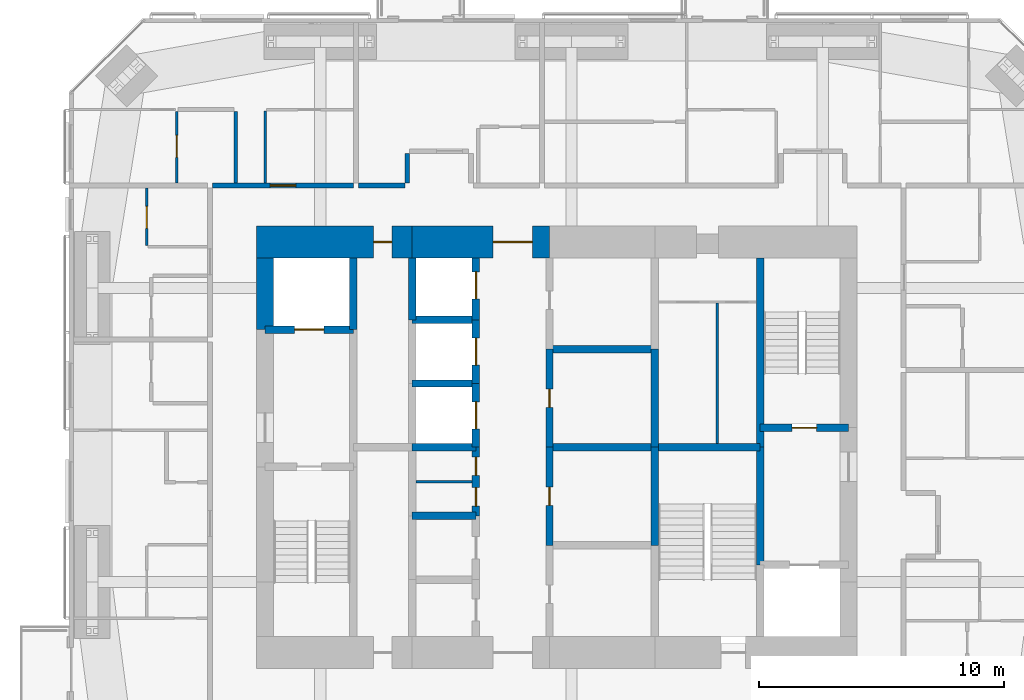
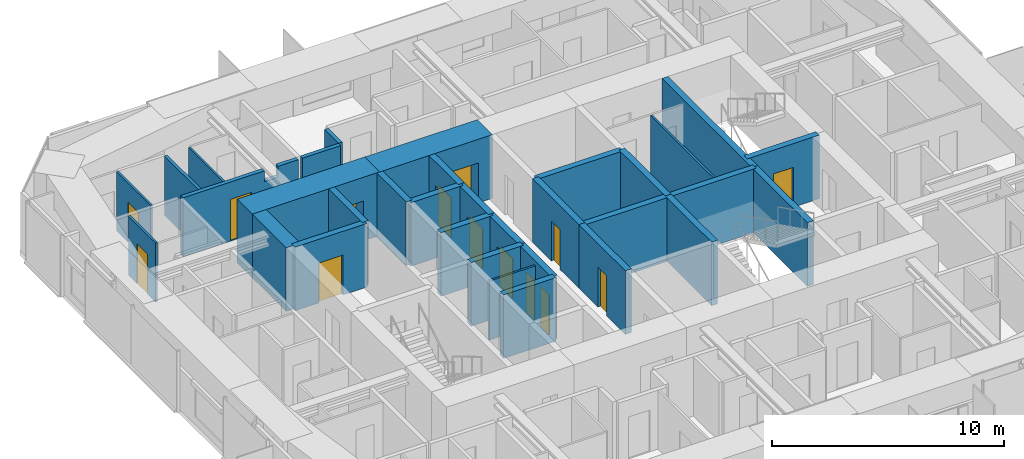
# One storey, part 18 of 23: 33 walls, 14 doors, 14 openings.
"""IFC4 building model written with IfcOpenShell, lengths in metres."""

from ifc_helpers import new_model, si_unit, direction, frame, frame_2d, origin, place, context, subcontext, project, spatial, polyline, rectangle, outline, extrude, material, layer, layer_set, constituent, constituent_set, type_object, element, fill, save


model = new_model("IFC4")

# Units and contexts
model_context = context("Model", 3, precision=1e-05, world=origin(), true_north=direction((0.0, 1.0)))
body_context = subcontext(model_context, "Body", "Model", "MODEL_VIEW")
ifc_project = project(units=[si_unit("LENGTHUNIT", "METRE"), si_unit("AREAUNIT", "SQUARE_METRE"), si_unit("VOLUMEUNIT", "CUBIC_METRE"), si_unit("PLANEANGLEUNIT", "RADIAN"), si_unit("MASSUNIT", "GRAM", prefix="KILO")], contexts=[model_context])

# Site, building, storey
site_placement = place(None, origin())
site = spatial("IfcSite", under=ifc_project, at=site_placement, CompositionType="ELEMENT")
building_placement = place(site_placement, origin())
building = spatial("IfcBuilding", under=site, at=building_placement, Name="Jalousie Tower", CompositionType="ELEMENT")
storey_placement = place(building_placement, frame((0.0, 0.0, 167.75)))
storey = spatial("IfcBuildingStorey", under=building, at=storey_placement, Name="L45", CompositionType="ELEMENT", Elevation=167.75)

# Wall
ifc_material_1 = material(Name="Concrete block ASTM C90", Category="concrete")
ifc_constituent_1 = constituent(ifc_material_1, Name="Body")
ifc_material_2 = material(Name="Render")
ifc_constituent_2 = constituent(ifc_material_2, Name="Finish")
ifc_constituent_set_1 = constituent_set(constituents=[ifc_constituent_1, ifc_constituent_2])
wall_type_1 = type_object("IfcWallType", Name="BATHROOM WALL 150", PredefinedType="PLUMBINGWALL", material=ifc_constituent_set_1)
wall_1_placement = place(storey_placement, frame((18.800048828125, 32.20361328125, 0.0), z_axis=(0.0, 0.0, 1.0), x_axis=(0.0, -1.0, 0.0)))
element("IfcWall", 1, at=wall_1_placement, inside=storey, type_object=wall_type_1, Name="Bathroom Wall 150 L45", PredefinedType="PLUMBINGWALL", context=body_context, shape_type="SweptSolid", body=[
    extrude(rectangle(XDim=2.9287109375, YDim=0.14990234375, at=frame_2d((1.46435546875, 0.0))), origin(), (0.0, 0.0, 1.0), 3.110107421875),
])

# Wall, opening, door
ifc_material_3 = material(Name="Concrete f'c 120 MPa", Category="concrete")
ifc_layer_1 = layer(ifc_material_3, 1.300048828125)
ifc_layer_set_1 = layer_set([ifc_layer_1], Name="Concrete f'c 120 MPa")
wall_type_2 = type_object("IfcWallType", Name="CORE WALL 1300", PredefinedType="SHEAR", material=ifc_layer_set_1)
wall_2_placement = place(storey_placement, frame((31.60009765625, 26.875, 0.0), z_axis=(0.0, 0.0, 1.0), x_axis=(-1.0, 0.0, 0.0)))
wall_2 = element("IfcWall", 2, at=wall_2_placement, inside=storey, type_object=wall_type_2, Name="Core wall NC L45", PredefinedType="SHEAR", context=body_context, shape_type="SweptSolid", body=[
    extrude(rectangle(XDim=5.60009765625, YDim=1.300048828125, at=frame_2d((2.800048828125, 0.0))), origin(), (0.0, 0.0, 1.0), 3.35009765625),
])
opening_1_placement = place(wall_2_placement, frame((0.699951171875, 0.0, 0.0)))
opening_1 = element("IfcOpeningElement", 3, at=opening_1_placement, cuts=wall_2, Name="Opening D15", PredefinedType="OPENING", context=body_context, shape_type="SweptSolid", body=[
    extrude(rectangle(XDim=1.60009765625, YDim=2.10009765625, at=frame_2d((0.800048828125, 1.050048828125))), frame((0.0, 0.659912109375, 0.0), z_axis=(0.0, -1.0, 0.0), x_axis=(1.0, 0.0, 0.0)), (0.0, 0.0, 1.0), 1.320068359375),
])
ifc_material_4 = material(Name="Steel fire door", Category="steel")
door_type_1 = type_object("IfcDoorType", Name="LIFT LOBBY DOOR 1600", OperationType="DOUBLE_DOOR_SINGLE_SWING", PredefinedType="DOOR", material=ifc_material_4)
door_1_placement = place(opening_1_placement, origin())
door_1 = element("IfcDoor", 4, at=door_1_placement, inside=storey, type_object=door_type_1, Name="Lift lobby north door", OperationType="DOUBLE_DOOR_SINGLE_SWING", OverallHeight=2.10009765625, OverallWidth=1.60009765625, PredefinedType="DOOR", context=body_context, shape_type="SweptSolid", body=[
    extrude(rectangle(XDim=1.60009765625, YDim=2.10009765625, at=frame_2d((0.800048828125, 1.050048828125))), frame((0.0, 0.02490234375, 0.0), z_axis=(0.0, -1.0, 0.0), x_axis=(1.0, 0.0, 0.0)), (0.0, 0.0, 1.0), 0.050048828125),
])
fill(opening_1, door_1)

wall_3_placement = place(storey_placement, frame((26.0, 26.875, 0.0), z_axis=(0.0, 0.0, 1.0), x_axis=(-1.0, 0.0, 0.0)))
wall_3 = element("IfcWall", 5, at=wall_3_placement, inside=storey, type_object=wall_type_2, Name="Core wall ND L45", PredefinedType="SHEAR", context=body_context, shape_type="SweptSolid", body=[
    extrude(rectangle(XDim=6.35009765625, YDim=1.300048828125, at=frame_2d((3.175048828125, 0.0))), origin(), (0.0, 0.0, 1.0), 3.35009765625),
])
opening_2_placement = place(wall_3_placement, frame((0.824951171875, 0.0, 0.0)))
opening_2 = element("IfcOpeningElement", 6, at=opening_2_placement, cuts=wall_3, Name="Opening D16", PredefinedType="OPENING", context=body_context, shape_type="SweptSolid", body=[
    extrude(rectangle(XDim=0.75, YDim=2.10009765625, at=frame_2d((0.375, 1.050048828125))), frame((0.0, 0.659912109375, 0.0), z_axis=(0.0, -1.0, 0.0), x_axis=(1.0, 0.0, 0.0)), (0.0, 0.0, 1.0), 1.320068359375),
])
ifc_material_5 = material(Name="Steel fire door", Category="steel")
door_type_2 = type_object("IfcDoorType", Name="RISER DOOR 750", OperationType="SINGLE_SWING_LEFT", PredefinedType="DOOR", material=ifc_material_5)
door_2_placement = place(opening_2_placement, origin())
door_2 = element("IfcDoor", 7, at=door_2_placement, inside=storey, type_object=door_type_2, Name="North riser door", OperationType="SINGLE_SWING_RIGHT", OverallHeight=2.10009765625, OverallWidth=0.75, PredefinedType="DOOR", context=body_context, shape_type="SweptSolid", body=[
    extrude(rectangle(XDim=0.75, YDim=2.10009765625, at=frame_2d((0.375, 1.050048828125))), frame((0.0, 0.02490234375, 0.0), z_axis=(0.0, -1.0, 0.0), x_axis=(1.0, 0.0, 0.0)), (0.0, 0.0, 1.0), 0.050048828125),
])
fill(opening_2, door_2)

# Walls
ifc_material_6 = material(Name="Concrete f'c 120 MPa", Category="concrete")
ifc_layer_2 = layer(ifc_material_6, 0.300048828125)
ifc_layer_set_2 = layer_set([ifc_layer_2], Name="Concrete f'c 120 MPa")
wall_type_3 = type_object("IfcWallType", Name="CORE WALL 300", PredefinedType="SHEAR", material=ifc_layer_set_2)
wall_4_placement = place(storey_placement, frame((23.60009765625, 23.300048828125, 0.0), z_axis=(0.0, 0.0, 1.0), x_axis=(0.0, 1.0, 0.0)))
element("IfcWall", 8, at=wall_4_placement, inside=storey, type_object=wall_type_3, Name="Core wall X23.6C L45", PredefinedType="SHEAR", context=body_context, shape_type="SweptSolid", body=[
    extrude(rectangle(XDim=2.925048828125, YDim=0.300048828125, at=frame_2d((1.46240234375, 0.0))), origin(), (0.0, 0.0, 1.0), 3.35009765625),
])
wall_5_placement = place(storey_placement, frame((26.0, 23.699951171875, 0.0), z_axis=(0.0, 0.0, 1.0), x_axis=(0.0, 1.0, 0.0)))
element("IfcWall", 9, at=wall_5_placement, inside=storey, type_object=wall_type_3, Name="Core wall X26F L45", PredefinedType="SHEAR", context=body_context, shape_type="SweptSolid", body=[
    extrude(rectangle(XDim=2.525146484375, YDim=0.300048828125, at=frame_2d((1.2626953125, 0.0))), origin(), (0.0, 0.0, 1.0), 3.35009765625),
])

# Wall, openings, doors
wall_6_placement = place(storey_placement, frame((28.60009765625, 15.699951171875, 0.0), z_axis=(0.0, 0.0, 1.0), x_axis=(0.0, 1.0, 0.0)))
wall_6 = element("IfcWall", 10, at=wall_6_placement, inside=storey, type_object=wall_type_3, Name="Core wall X28.6C L45", PredefinedType="SHEAR", context=body_context, shape_type="SweptSolid", body=[
    extrude(rectangle(XDim=2.800048828125, YDim=0.300048828125, at=frame_2d((1.39990234375, 0.0))), origin(), (0.0, 0.0, 1.0), 3.35009765625),
])
opening_3_placement = place(wall_6_placement, frame((0.39990234375, 0.0, 0.0)))
opening_3 = element("IfcOpeningElement", 11, at=opening_3_placement, cuts=wall_6, Name="Opening D27", PredefinedType="OPENING", context=body_context, shape_type="SweptSolid", body=[
    extrude(rectangle(XDim=0.75, YDim=2.10009765625, at=frame_2d((0.375, 1.050048828125))), frame((0.0, 0.159912109375, 0.0), z_axis=(0.0, -1.0, 0.0), x_axis=(1.0, 0.0, 0.0)), (0.0, 0.0, 1.0), 0.320068359375),
])
opening_4_placement = place(wall_6_placement, frame((1.64990234375, 0.0, 0.0)))
opening_4 = element("IfcOpeningElement", 12, at=opening_4_placement, cuts=wall_6, Name="Opening D27", PredefinedType="OPENING", context=body_context, shape_type="SweptSolid", body=[
    extrude(rectangle(XDim=0.75, YDim=2.10009765625, at=frame_2d((0.375, 1.050048828125))), frame((0.0, 0.159912109375, 0.0), z_axis=(0.0, -1.0, 0.0), x_axis=(1.0, 0.0, 0.0)), (0.0, 0.0, 1.0), 0.320068359375),
])
ifc_material_7 = material(Name="Steel fire door", Category="steel")
door_type_3 = type_object("IfcDoorType", Name="CORE ROOM DOOR 750", OperationType="SINGLE_SWING_LEFT", PredefinedType="DOOR", material=ifc_material_7)
door_3_placement = place(opening_3_placement, origin())
door_3 = element("IfcDoor", 13, at=door_3_placement, inside=storey, type_object=door_type_3, Name="Store door", OperationType="SINGLE_SWING_RIGHT", OverallHeight=2.10009765625, OverallWidth=0.75, PredefinedType="DOOR", context=body_context, shape_type="SweptSolid", body=[
    extrude(rectangle(XDim=0.75, YDim=2.10009765625, at=frame_2d((0.375, 1.050048828125))), frame((0.0, 0.02490234375, 0.0), z_axis=(0.0, -1.0, 0.0), x_axis=(1.0, 0.0, 0.0)), (0.0, 0.0, 1.0), 0.050048828125),
])
fill(opening_3, door_3)
door_4_placement = place(opening_4_placement, origin())
door_4 = element("IfcDoor", 14, at=door_4_placement, inside=storey, type_object=door_type_3, Name="Linen store door", OperationType="SINGLE_SWING_LEFT", OverallHeight=2.10009765625, OverallWidth=0.75, PredefinedType="DOOR", context=body_context, shape_type="SweptSolid", body=[
    extrude(rectangle(XDim=0.75, YDim=2.10009765625, at=frame_2d((0.375, 1.050048828125))), frame((0.0, 0.02490234375, 0.0), z_axis=(0.0, -1.0, 0.0), x_axis=(1.0, 0.0, 0.0)), (0.0, 0.0, 1.0), 0.050048828125),
])
fill(opening_4, door_4)

# Wall, opening, door
wall_7_placement = place(storey_placement, frame((28.60009765625, 18.5, 0.0), z_axis=(0.0, 0.0, 1.0), x_axis=(0.0, 1.0, 0.0)))
wall_7 = element("IfcWall", 15, at=wall_7_placement, inside=storey, type_object=wall_type_3, Name="Core wall X28.6D L45", PredefinedType="SHEAR", context=body_context, shape_type="SweptSolid", body=[
    extrude(rectangle(XDim=2.60009765625, YDim=0.300048828125, at=frame_2d((1.300048828125, 0.0))), origin(), (0.0, 0.0, 1.0), 3.35009765625),
])
opening_5_placement = place(wall_7_placement, frame((0.75, 0.0, 0.0)))
opening_5 = element("IfcOpeningElement", 16, at=opening_5_placement, cuts=wall_7, Name="Opening LD1", PredefinedType="OPENING", context=body_context, shape_type="SweptSolid", body=[
    extrude(rectangle(XDim=1.10009765625, YDim=2.10009765625, at=frame_2d((0.550048828125, 1.050048828125))), frame((0.0, 0.159912109375, 0.0), z_axis=(0.0, -1.0, 0.0), x_axis=(1.0, 0.0, 0.0)), (0.0, 0.0, 1.0), 0.320068359375),
])
ifc_material_8 = material(Name="Steel lift landing door", Category="steel")
door_type_4 = type_object("IfcDoorType", Name="LIFT LANDING DOOR 1100", OperationType="SLIDING_TO_LEFT", PredefinedType="DOOR", material=ifc_material_8)
door_5_placement = place(opening_5_placement, origin())
door_5 = element("IfcDoor", 17, at=door_5_placement, inside=storey, type_object=door_type_4, Name="Lift P4 landing door", OperationType="SLIDING_TO_LEFT", OverallHeight=2.10009765625, OverallWidth=1.10009765625, PredefinedType="DOOR", context=body_context, shape_type="SweptSolid", body=[
    extrude(rectangle(XDim=1.10009765625, YDim=2.10009765625, at=frame_2d((0.550048828125, 1.050048828125))), frame((0.0, 0.02490234375, 0.0), z_axis=(0.0, -1.0, 0.0), x_axis=(1.0, 0.0, 0.0)), (0.0, 0.0, 1.0), 0.050048828125),
])
fill(opening_5, door_5)

wall_8_placement = place(storey_placement, frame((28.60009765625, 21.10009765625, 0.0), z_axis=(0.0, 0.0, 1.0), x_axis=(0.0, 1.0, 0.0)))
wall_8 = element("IfcWall", 18, at=wall_8_placement, inside=storey, type_object=wall_type_3, Name="Core wall X28.6E L45", PredefinedType="SHEAR", context=body_context, shape_type="SweptSolid", body=[
    extrude(rectangle(XDim=2.599853515625, YDim=0.300048828125, at=frame_2d((1.2998046875, 0.0))), origin(), (0.0, 0.0, 1.0), 3.35009765625),
])
opening_6_placement = place(wall_8_placement, frame((0.75, 0.0, 0.0)))
opening_6 = element("IfcOpeningElement", 19, at=opening_6_placement, cuts=wall_8, Name="Opening LD1", PredefinedType="OPENING", context=body_context, shape_type="SweptSolid", body=[
    extrude(rectangle(XDim=1.10009765625, YDim=2.10009765625, at=frame_2d((0.550048828125, 1.050048828125))), frame((0.0, 0.159912109375, 0.0), z_axis=(0.0, -1.0, 0.0), x_axis=(1.0, 0.0, 0.0)), (0.0, 0.0, 1.0), 0.320068359375),
])
door_6_placement = place(opening_6_placement, origin())
door_6 = element("IfcDoor", 20, at=door_6_placement, inside=storey, type_object=door_type_4, Name="Lift P5 landing door", OperationType="SLIDING_TO_LEFT", OverallHeight=2.10009765625, OverallWidth=1.10009765625, PredefinedType="DOOR", context=body_context, shape_type="SweptSolid", body=[
    extrude(rectangle(XDim=1.10009765625, YDim=2.10009765625, at=frame_2d((0.550048828125, 1.050048828125))), frame((0.0, 0.02490234375, 0.0), z_axis=(0.0, -1.0, 0.0), x_axis=(1.0, 0.0, 0.0)), (0.0, 0.0, 1.0), 0.050048828125),
])
fill(opening_6, door_6)

wall_9_placement = place(storey_placement, frame((28.60009765625, 23.699951171875, 0.0), z_axis=(0.0, 0.0, 1.0), x_axis=(0.0, 1.0, 0.0)))
wall_9 = element("IfcWall", 21, at=wall_9_placement, inside=storey, type_object=wall_type_3, Name="Core wall X28.6F L45", PredefinedType="SHEAR", context=body_context, shape_type="SweptSolid", body=[
    extrude(rectangle(XDim=2.525146484375, YDim=0.300048828125, at=frame_2d((1.2626953125, 0.0))), origin(), (0.0, 0.0, 1.0), 3.35009765625),
])
opening_7_placement = place(wall_9_placement, frame((0.85009765625, 0.0, 0.0)))
opening_7 = element("IfcOpeningElement", 22, at=opening_7_placement, cuts=wall_9, Name="Opening LD1", PredefinedType="OPENING", context=body_context, shape_type="SweptSolid", body=[
    extrude(rectangle(XDim=1.10009765625, YDim=2.10009765625, at=frame_2d((0.550048828125, 1.050048828125))), frame((0.0, 0.159912109375, 0.0), z_axis=(0.0, -1.0, 0.0), x_axis=(1.0, 0.0, 0.0)), (0.0, 0.0, 1.0), 0.320068359375),
])
door_7_placement = place(opening_7_placement, origin())
door_7 = element("IfcDoor", 23, at=door_7_placement, inside=storey, type_object=door_type_4, Name="Lift P6 landing door", OperationType="SLIDING_TO_LEFT", OverallHeight=2.10009765625, OverallWidth=1.10009765625, PredefinedType="DOOR", context=body_context, shape_type="SweptSolid", body=[
    extrude(rectangle(XDim=1.10009765625, YDim=2.10009765625, at=frame_2d((0.550048828125, 1.050048828125))), frame((0.0, 0.02490234375, 0.0), z_axis=(0.0, -1.0, 0.0), x_axis=(1.0, 0.0, 0.0)), (0.0, 0.0, 1.0), 0.050048828125),
])
fill(opening_7, door_7)

wall_10_placement = place(storey_placement, frame((31.60009765625, 14.5, 0.0), z_axis=(0.0, 0.0, 1.0), x_axis=(0.0, 1.0, 0.0)))
wall_10 = element("IfcWall", 24, at=wall_10_placement, inside=storey, type_object=wall_type_3, Name="Core wall X31.6B L45", PredefinedType="SHEAR", context=body_context, shape_type="SweptSolid", body=[
    extrude(rectangle(XDim=4.0, YDim=0.300048828125, at=frame_2d((2.0, 0.0))), origin(), (0.0, 0.0, 1.0), 3.35009765625),
])
opening_8_placement = place(wall_10_placement, frame((1.625, 0.0, 0.0)))
opening_8 = element("IfcOpeningElement", 25, at=opening_8_placement, cuts=wall_10, Name="Opening D16", PredefinedType="OPENING", context=body_context, shape_type="SweptSolid", body=[
    extrude(rectangle(XDim=0.75, YDim=2.10009765625, at=frame_2d((0.375, 1.050048828125))), frame((0.0, 0.159912109375, 0.0), z_axis=(0.0, -1.0, 0.0), x_axis=(1.0, 0.0, 0.0)), (0.0, 0.0, 1.0), 0.320068359375),
])
door_8_placement = place(opening_8_placement, frame((0.75, 0.0, 0.0), z_axis=(0.0, 0.0, 1.0), x_axis=(-1.0, 0.0, 0.0)))
door_8 = element("IfcDoor", 26, at=door_8_placement, inside=storey, type_object=door_type_2, Name="Electrical Room door", OperationType="SINGLE_SWING_RIGHT", OverallHeight=2.10009765625, OverallWidth=0.75, PredefinedType="DOOR", context=body_context, shape_type="SweptSolid", body=[
    extrude(rectangle(XDim=0.75, YDim=2.10009765625, at=frame_2d((0.375, 1.050048828125))), frame((0.0, 0.02490234375, 0.0), z_axis=(0.0, -1.0, 0.0), x_axis=(1.0, 0.0, 0.0)), (0.0, 0.0, 1.0), 0.050048828125),
])
fill(opening_8, door_8)

wall_11_placement = place(storey_placement, frame((31.60009765625, 18.5, 0.0), z_axis=(0.0, 0.0, 1.0), x_axis=(0.0, 1.0, 0.0)))
wall_11 = element("IfcWall", 27, at=wall_11_placement, inside=storey, type_object=wall_type_3, Name="Core wall X31.6C L45", PredefinedType="SHEAR", context=body_context, shape_type="SweptSolid", body=[
    extrude(rectangle(XDim=4.0, YDim=0.300048828125, at=frame_2d((2.0, 0.0))), origin(), (0.0, 0.0, 1.0), 3.35009765625),
])
opening_9_placement = place(wall_11_placement, frame((1.625, 0.0, 0.0)))
opening_9 = element("IfcOpeningElement", 28, at=opening_9_placement, cuts=wall_11, Name="Opening D16", PredefinedType="OPENING", context=body_context, shape_type="SweptSolid", body=[
    extrude(rectangle(XDim=0.75, YDim=2.10009765625, at=frame_2d((0.375, 1.050048828125))), frame((0.0, 0.159912109375, 0.0), z_axis=(0.0, -1.0, 0.0), x_axis=(1.0, 0.0, 0.0)), (0.0, 0.0, 1.0), 0.320068359375),
])
door_9_placement = place(opening_9_placement, frame((0.75, 0.0, 0.0), z_axis=(0.0, 0.0, 1.0), x_axis=(-1.0, 0.0, 0.0)))
door_9 = element("IfcDoor", 29, at=door_9_placement, inside=storey, type_object=door_type_2, Name="Telecom Room door", OperationType="SINGLE_SWING_RIGHT", OverallHeight=2.10009765625, OverallWidth=0.75, PredefinedType="DOOR", context=body_context, shape_type="SweptSolid", body=[
    extrude(rectangle(XDim=0.75, YDim=2.10009765625, at=frame_2d((0.375, 1.050048828125))), frame((0.0, 0.02490234375, 0.0), z_axis=(0.0, -1.0, 0.0), x_axis=(1.0, 0.0, 0.0)), (0.0, 0.0, 1.0), 0.050048828125),
])
fill(opening_9, door_9)

# Walls
for number, where, z_axis, x_axis, name in (
    (30, (35.89990234375, 14.5, 0.0), (0.0, 0.0, 1.0), (0.0, 1.0, 0.0), "Core wall X35.9B L45"),
    (31, (35.89990234375, 18.5, 0.0), (0.0, 0.0, 1.0), (0.0, 1.0, 0.0), "Core wall X35.9C L45"),
):
    element("IfcWall", number, at=place(storey_placement, frame(where, z_axis=z_axis, x_axis=x_axis)), inside=storey, type_object=wall_type_3, Name=name, PredefinedType="SHEAR", context=body_context, shape_type="SweptSolid", body=[
        extrude(rectangle(XDim=4.0, YDim=0.300048828125, at=frame_2d((2.0, 0.0))), origin(), (0.0, 0.0, 1.0), 3.35009765625),
    ])
wall_12_placement = place(storey_placement, frame((40.199951171875, 13.699951171875, 0.0), z_axis=(0.0, 0.0, 1.0), x_axis=(0.0, 1.0, 0.0)))
element("IfcWall", 32, at=wall_12_placement, inside=storey, type_object=wall_type_3, Name="Core wall X40.2B L45", PredefinedType="SHEAR", context=body_context, shape_type="SweptSolid", body=[
    extrude(rectangle(XDim=4.800048828125, YDim=0.300048828125, at=frame_2d((2.39990234375, 0.0))), origin(), (0.0, 0.0, 1.0), 3.35009765625),
])
wall_13_placement = place(storey_placement, frame((40.199951171875, 18.5, 0.0), z_axis=(0.0, 0.0, 1.0), x_axis=(0.0, 1.0, 0.0)))
element("IfcWall", 33, at=wall_13_placement, inside=storey, type_object=wall_type_3, Name="Core wall X40.2C L45", PredefinedType="SHEAR", context=body_context, shape_type="SweptSolid", body=[
    extrude(rectangle(XDim=7.72509765625, YDim=0.300048828125, at=frame_2d((3.862548828125, 0.0))), origin(), (0.0, 0.0, 1.0), 3.35009765625),
])

# Wall, opening, door
wall_14_placement = place(storey_placement, frame((20.0, 23.300048828125, 0.0), z_axis=(0.0, 0.0, 1.0), x_axis=(1.0, 0.0, 0.0)))
wall_14 = element("IfcWall", 34, at=wall_14_placement, inside=storey, type_object=wall_type_3, Name="Core wall Y20-23.3 L45", PredefinedType="SHEAR", context=body_context, shape_type="SweptSolid", body=[
    extrude(rectangle(XDim=3.60009765625, YDim=0.300048828125, at=frame_2d((1.800048828125, 0.0))), origin(), (0.0, 0.0, 1.0), 3.35009765625),
])
opening_10_placement = place(wall_14_placement, frame((1.199951171875, 0.0, 0.0)))
opening_10 = element("IfcOpeningElement", 35, at=opening_10_placement, cuts=wall_14, Name="Opening LD2", PredefinedType="OPENING", context=body_context, shape_type="SweptSolid", body=[
    extrude(rectangle(XDim=1.199951171875, YDim=2.10009765625, at=frame_2d((0.60009765625, 1.050048828125))), frame((0.0, 0.159912109375, 0.0), z_axis=(0.0, -1.0, 0.0), x_axis=(1.0, 0.0, 0.0)), (0.0, 0.0, 1.0), 0.320068359375),
])
ifc_material_9 = material(Name="Steel lift landing door", Category="steel")
door_type_5 = type_object("IfcDoorType", Name="LIFT LANDING DOOR 1200", OperationType="SLIDING_TO_LEFT", PredefinedType="DOOR", material=ifc_material_9)
door_10_placement = place(opening_10_placement, origin())
door_10 = element("IfcDoor", 36, at=door_10_placement, inside=storey, type_object=door_type_5, Name="Lift F1 landing door", OperationType="SLIDING_TO_LEFT", OverallHeight=2.10009765625, OverallWidth=1.199951171875, PredefinedType="DOOR", context=body_context, shape_type="SweptSolid", body=[
    extrude(rectangle(XDim=1.199951171875, YDim=2.10009765625, at=frame_2d((0.60009765625, 1.050048828125))), frame((0.0, 0.02490234375, 0.0), z_axis=(0.0, -1.0, 0.0), x_axis=(1.0, 0.0, 0.0)), (0.0, 0.0, 1.0), 0.050048828125),
])
fill(opening_10, door_10)

# Walls
for number, where, z_axis, x_axis, name in (
    (37, (26.0, 15.699951171875, 0.0), (0.0, 0.0, 1.0), (1.0, 0.0, 0.0), "Core wall Y26-15.7 L45"),
    (38, (26.0, 18.5, 0.0), (0.0, 0.0, 1.0), (1.0, 0.0, 0.0), "Core wall Y26-18.5 L45"),
    (39, (26.0, 21.10009765625, 0.0), (0.0, 0.0, 1.0), (1.0, 0.0, 0.0), "Core wall Y26-21.1 L45"),
    (40, (26.0, 23.699951171875, 0.0), (0.0, 0.0, 1.0), (1.0, 0.0, 0.0), "Core wall Y26-23.7 L45"),
):
    element("IfcWall", number, at=place(storey_placement, frame(where, z_axis=z_axis, x_axis=x_axis)), inside=storey, type_object=wall_type_3, Name=name, PredefinedType="SHEAR", context=body_context, shape_type="SweptSolid", body=[
        extrude(rectangle(XDim=2.60009765625, YDim=0.300048828125, at=frame_2d((1.300048828125, 0.0))), origin(), (0.0, 0.0, 1.0), 3.35009765625),
    ])
for number, where, z_axis, x_axis, name in (
    (41, (31.60009765625, 18.5, 0.0), (0.0, 0.0, 1.0), (1.0, 0.0, 0.0), "Core wall Y31.6-18.5 L45"),
    (42, (31.60009765625, 22.5, 0.0), (0.0, 0.0, 1.0), (1.0, 0.0, 0.0), "Core wall Y31.6-22.5 L45"),
):
    element("IfcWall", number, at=place(storey_placement, frame(where, z_axis=z_axis, x_axis=x_axis)), inside=storey, type_object=wall_type_3, Name=name, PredefinedType="SHEAR", context=body_context, shape_type="SweptSolid", body=[
        extrude(rectangle(XDim=4.2998046875, YDim=0.300048828125, at=frame_2d((2.14990234375, 0.0))), origin(), (0.0, 0.0, 1.0), 3.35009765625),
    ])
wall_15_placement = place(storey_placement, frame((35.89990234375, 18.5, 0.0), z_axis=(0.0, 0.0, 1.0), x_axis=(1.0, 0.0, 0.0)))
element("IfcWall", 43, at=wall_15_placement, inside=storey, type_object=wall_type_3, Name="Core wall Y35.9-18.5 L45", PredefinedType="SHEAR", context=body_context, shape_type="SweptSolid", body=[
    extrude(rectangle(XDim=4.300048828125, YDim=0.300048828125, at=frame_2d((2.14990234375, 0.0))), origin(), (0.0, 0.0, 1.0), 3.35009765625),
])

# Wall, opening, door
wall_16_placement = place(storey_placement, frame((40.199951171875, 19.300048828125, 0.0), z_axis=(0.0, 0.0, 1.0), x_axis=(1.0, 0.0, 0.0)))
wall_16 = element("IfcWall", 44, at=wall_16_placement, inside=storey, type_object=wall_type_3, Name="Core wall Y40.2-19.3 L45", PredefinedType="SHEAR", context=body_context, shape_type="SweptSolid", body=[
    extrude(rectangle(XDim=3.60009765625, YDim=0.300048828125, at=frame_2d((1.800048828125, 0.0))), origin(), (0.0, 0.0, 1.0), 3.35009765625),
])
opening_11_placement = place(wall_16_placement, frame((1.300048828125, 0.0, 0.0)))
opening_11 = element("IfcOpeningElement", 45, at=opening_11_placement, cuts=wall_16, Name="Opening D10", PredefinedType="OPENING", context=body_context, shape_type="SweptSolid", body=[
    extrude(rectangle(XDim=1.0, YDim=2.10009765625, at=frame_2d((0.5, 1.050048828125))), frame((0.0, 0.159912109375, 0.0), z_axis=(0.0, -1.0, 0.0), x_axis=(1.0, 0.0, 0.0)), (0.0, 0.0, 1.0), 0.320068359375),
])
ifc_material_10 = material(Name="Steel fire door", Category="steel")
door_type_6 = type_object("IfcDoorType", Name="STAIR DOOR 1000", OperationType="SINGLE_SWING_LEFT", PredefinedType="DOOR", material=ifc_material_10)
door_11_placement = place(opening_11_placement, origin())
door_11 = element("IfcDoor", 46, at=door_11_placement, inside=storey, type_object=door_type_6, Name="Exit stair B door", OperationType="SINGLE_SWING_RIGHT", OverallHeight=2.10009765625, OverallWidth=1.0, PredefinedType="DOOR", context=body_context, shape_type="SweptSolid", body=[
    extrude(rectangle(XDim=1.0, YDim=2.10009765625, at=frame_2d((0.5, 1.050048828125))), frame((0.0, 0.02490234375, 0.0), z_axis=(0.0, -1.0, 0.0), x_axis=(1.0, 0.0, 0.0)), (0.0, 0.0, 1.0), 0.050048828125),
])
fill(opening_11, door_11)

# Wall
ifc_material_11 = material(Name="Concrete f'c 120 MPa", Category="concrete")
ifc_layer_3 = layer(ifc_material_11, 0.699951171875)
ifc_layer_set_3 = layer_set([ifc_layer_3], Name="Concrete f'c 120 MPa")
wall_type_4 = type_object("IfcWallType", Name="CORE WALL 700", PredefinedType="SHEAR", material=ifc_layer_set_3)
wall_17_placement = place(storey_placement, frame((20.0, 26.22509765625, 0.0), z_axis=(0.0, 0.0, 1.0), x_axis=(0.0, -1.0, 0.0)))
element("IfcWall", 47, at=wall_17_placement, inside=storey, type_object=wall_type_4, Name="Core wall WA L45", PredefinedType="SHEAR", context=body_context, shape_type="SweptSolid", body=[
    extrude(rectangle(XDim=2.925048828125, YDim=0.699951171875, at=frame_2d((1.46240234375, 0.0))), origin(), (0.0, 0.0, 1.0), 3.35009765625),
])

# Wall, opening, door
ifc_material_12 = material(Name="Concrete block ASTM C90", Category="concrete")
ifc_constituent_3 = constituent(ifc_material_12, Name="Body")
ifc_material_13 = material(Name="Render")
ifc_constituent_4 = constituent(ifc_material_13, Name="Finish")
ifc_constituent_set_2 = constituent_set(constituents=[ifc_constituent_3, ifc_constituent_4])
wall_type_5 = type_object("IfcWallType", Name="CORRIDOR WALL 200", PredefinedType="PARTITIONING", material=ifc_constituent_set_2)
wall_18_placement = place(storey_placement, frame((17.85009765625, 29.175048828125, 0.0), z_axis=(0.0, 0.0, 1.0), x_axis=(1.0, 0.0, 0.0)))
wall_18 = element("IfcWall", 48, at=wall_18_placement, inside=storey, type_object=wall_type_5, Name="Corridor Wall 200 L45", PredefinedType="PARTITIONING", context=body_context, shape_type="SweptSolid", body=[
    extrude(outline(polyline([(0.0, 0.0), (5.75, 0.0), (5.75, 3.110107421875), (4.7373046875, 3.110107421875), (4.7373046875, 2.541015625), (4.0625, 2.541015625), (4.0625, 3.110107421875), (0.0, 3.110107421875), (0.0, 0.0)])), frame((0.0, 0.10009765625, 0.0), z_axis=(0.0, -1.0, 0.0), x_axis=(1.0, 0.0, 0.0)), (0.0, 0.0, 1.0), 0.199951171875),
])
opening_12_placement = place(wall_18_placement, frame((2.35009765625, 0.0, 0.0)))
opening_12 = element("IfcOpeningElement", 49, at=opening_12_placement, cuts=wall_18, Name="Opening D1", PredefinedType="OPENING", context=body_context, shape_type="SweptSolid", body=[
    extrude(rectangle(XDim=1.050048828125, YDim=2.199951171875, at=frame_2d((0.52490234375, 1.10009765625))), frame((0.0, 0.10986328125, 0.0), z_axis=(0.0, -1.0, 0.0), x_axis=(1.0, 0.0, 0.0)), (0.0, 0.0, 1.0), 0.219970703125),
])
ifc_material_14 = material(Name="Timber fire door", Category="wood")
door_type_7 = type_object("IfcDoorType", Name="APARTMENT ENTRANCE DOOR 1050", OperationType="SINGLE_SWING_LEFT", PredefinedType="DOOR", material=ifc_material_14)
door_12_placement = place(opening_12_placement, origin())
door_12 = element("IfcDoor", 50, at=door_12_placement, inside=storey, type_object=door_type_7, Name="Apartment 4505 entrance", OperationType="SINGLE_SWING_LEFT", OverallHeight=2.199951171875, OverallWidth=1.050048828125, PredefinedType="DOOR", context=body_context, shape_type="SweptSolid", body=[
    extrude(rectangle(XDim=1.050048828125, YDim=2.199951171875, at=frame_2d((0.52490234375, 1.10009765625))), frame((0.0, 0.02490234375, 0.0), z_axis=(0.0, -1.0, 0.0), x_axis=(1.0, 0.0, 0.0)), (0.0, 0.0, 1.0), 0.050048828125),
])
fill(opening_12, door_12)

# Walls
wall_19_placement = place(storey_placement, frame((23.800048828125, 29.175048828125, 0.0), z_axis=(0.0, 0.0, 1.0), x_axis=(1.0, 0.0, 0.0)))
element("IfcWall", 51, at=wall_19_placement, inside=storey, type_object=wall_type_5, Name="Corridor Wall 200 L45", PredefinedType="PARTITIONING", context=body_context, shape_type="SweptSolid", body=[
    extrude(rectangle(XDim=1.89990234375, YDim=0.199951171875, at=frame_2d((0.949951171875, 0.0))), origin(), (0.0, 0.0, 1.0), 3.110107421875),
])
wall_20_placement = place(storey_placement, frame((25.800048828125, 29.27490234375, 0.0), z_axis=(0.0, 0.0, 1.0), x_axis=(0.0, 1.0, 0.0)))
element("IfcWall", 52, at=wall_20_placement, inside=storey, type_object=wall_type_5, Name="Corridor Wall 200 L45", PredefinedType="PARTITIONING", context=body_context, shape_type="SweptSolid", body=[
    extrude(rectangle(XDim=1.2001953125, YDim=0.199951171875, at=frame_2d((0.60009765625, 0.0))), origin(), (0.0, 0.0, 1.0), 3.110107421875),
])

# Wall, opening, door
ifc_material_15 = material(Name="Gypsum board", Category="gypsum")
ifc_constituent_5 = constituent(ifc_material_15, Name="Body")
ifc_material_16 = material(Name="Light-gauge steel studs ASTM A653 SS Grade 33", Category="steel")
ifc_constituent_6 = constituent(ifc_material_16, Name="Framing")
ifc_constituent_set_3 = constituent_set(constituents=[ifc_constituent_5, ifc_constituent_6])
wall_type_6 = type_object("IfcWallType", Name="PARTITION 100", PredefinedType="PARTITIONING", material=ifc_constituent_set_3)
wall_21_placement = place(storey_placement, frame((16.39990234375, 32.20361328125, 0.0), z_axis=(0.0, 0.0, 1.0), x_axis=(0.0, -1.0, 0.0)))
wall_21 = element("IfcWall", 53, at=wall_21_placement, inside=storey, type_object=wall_type_6, Name="Partition 100 L45", PredefinedType="PARTITIONING", context=body_context, shape_type="SweptSolid", body=[
    extrude(rectangle(XDim=2.9287109375, YDim=0.10009765625, at=frame_2d((1.46435546875, 0.0))), origin(), (0.0, 0.0, 1.0), 3.110107421875),
])
opening_13_placement = place(wall_21_placement, frame((0.976806640625, 0.0, 0.0)))
opening_13 = element("IfcOpeningElement", 54, at=opening_13_placement, cuts=wall_21, Name="Opening D3", PredefinedType="OPENING", context=body_context, shape_type="SweptSolid", body=[
    extrude(rectangle(XDim=0.89990234375, YDim=2.10009765625, at=frame_2d((0.449951171875, 1.050048828125))), frame((0.0, 0.06005859375, 0.0), z_axis=(0.0, -1.0, 0.0), x_axis=(1.0, 0.0, 0.0)), (0.0, 0.0, 1.0), 0.1201171875),
])
ifc_material_17 = material(Name="Timber door", Category="wood")
door_type_8 = type_object("IfcDoorType", Name="BATHROOM DOOR 900", OperationType="SINGLE_SWING_LEFT", PredefinedType="DOOR", material=ifc_material_17)
door_13_placement = place(opening_13_placement, origin())
door_13 = element("IfcDoor", 55, at=door_13_placement, inside=storey, type_object=door_type_8, Name="Apartment 4505 bedroom 1 bathroom door", OperationType="SINGLE_SWING_LEFT", OverallHeight=2.10009765625, OverallWidth=0.89990234375, PredefinedType="DOOR", context=body_context, shape_type="SweptSolid", body=[
    extrude(rectangle(XDim=0.89990234375, YDim=2.10009765625, at=frame_2d((0.449951171875, 1.050048828125))), frame((0.0, 0.02490234375, 0.0), z_axis=(0.0, -1.0, 0.0), x_axis=(1.0, 0.0, 0.0)), (0.0, 0.0, 1.0), 0.050048828125),
])
fill(opening_13, door_13)

# Wall
wall_22_placement = place(storey_placement, frame((20.0, 32.22509765625, 0.0), z_axis=(0.0, 0.0, 1.0), x_axis=(0.0, -1.0, 0.0)))
element("IfcWall", 56, at=wall_22_placement, inside=storey, type_object=wall_type_6, Name="Partition 100 L45", PredefinedType="PARTITIONING", context=body_context, shape_type="SweptSolid", body=[
    extrude(rectangle(XDim=2.9501953125, YDim=0.10009765625, at=frame_2d((1.47509765625, 0.0))), origin(), (0.0, 0.0, 1.0), 3.110107421875),
])

# Wall, opening, door
wall_23_placement = place(storey_placement, frame((15.175048828125, 26.72509765625, 0.0), z_axis=(0.0, 0.0, 1.0), x_axis=(0.0, 1.0, 0.0)))
wall_23 = element("IfcWall", 57, at=wall_23_placement, inside=storey, type_object=wall_type_6, Name="Partition 100 L45", PredefinedType="PARTITIONING", context=body_context, shape_type="SweptSolid", body=[
    extrude(rectangle(XDim=2.349853515625, YDim=0.10009765625, at=frame_2d((1.1748046875, 0.0))), origin(), (0.0, 0.0, 1.0), 3.110107421875),
])
opening_14_placement = place(wall_23_placement, frame((0.699951171875, 0.0, 0.0)))
opening_14 = element("IfcOpeningElement", 58, at=opening_14_placement, cuts=wall_23, Name="Opening D7", PredefinedType="OPENING", context=body_context, shape_type="SweptSolid", body=[
    extrude(rectangle(XDim=0.89990234375, YDim=2.10009765625, at=frame_2d((0.449951171875, 1.050048828125))), frame((0.0, 0.06005859375, 0.0), z_axis=(0.0, -1.0, 0.0), x_axis=(1.0, 0.0, 0.0)), (0.0, 0.0, 1.0), 0.1201171875),
])
ifc_material_18 = material(Name="Timber door", Category="wood")
door_type_9 = type_object("IfcDoorType", Name="INTERNAL DOOR 900", OperationType="SINGLE_SWING_LEFT", PredefinedType="DOOR", material=ifc_material_18)
door_14_placement = place(opening_14_placement, frame((0.89990234375, 0.0, 0.0), z_axis=(0.0, 0.0, 1.0), x_axis=(-1.0, 0.0, 0.0)))
door_14 = element("IfcDoor", 59, at=door_14_placement, inside=storey, type_object=door_type_9, Name="Apartment 4509 kitchen door", OperationType="SINGLE_SWING_RIGHT", OverallHeight=2.10009765625, OverallWidth=0.89990234375, PredefinedType="DOOR", context=body_context, shape_type="SweptSolid", body=[
    extrude(rectangle(XDim=0.89990234375, YDim=2.10009765625, at=frame_2d((0.449951171875, 1.050048828125))), frame((0.0, 0.02490234375, 0.0), z_axis=(0.0, -1.0, 0.0), x_axis=(1.0, 0.0, 0.0)), (0.0, 0.0, 1.0), 0.050048828125),
])
fill(opening_14, door_14)

# Walls
wall_24_placement = place(storey_placement, frame((38.449951171875, 18.64990234375, 0.0), z_axis=(0.0, 0.0, 1.0), x_axis=(0.0, 1.0, 0.0)))
element("IfcWall", 60, at=wall_24_placement, inside=storey, type_object=wall_type_6, Name="Partition 100 L45", PredefinedType="PARTITIONING", context=body_context, shape_type="SweptSolid", body=[
    extrude(rectangle(XDim=5.72509765625, YDim=0.10009765625, at=frame_2d((2.862548828125, 0.0))), origin(), (0.0, 0.0, 1.0), 3.110107421875),
])
wall_25_placement = place(storey_placement, frame((26.14990234375, 17.10009765625, 0.0), z_axis=(0.0, 0.0, 1.0), x_axis=(1.0, 0.0, 0.0)))
element("IfcWall", 61, at=wall_25_placement, inside=storey, type_object=wall_type_6, Name="Partition 100 L45", PredefinedType="PARTITIONING", context=body_context, shape_type="SweptSolid", body=[
    extrude(rectangle(XDim=2.300048828125, YDim=0.10009765625, at=frame_2d((1.14990234375, 0.0))), origin(), (0.0, 0.0, 1.0), 3.110107421875),
])

save(model, "model.ifc")
